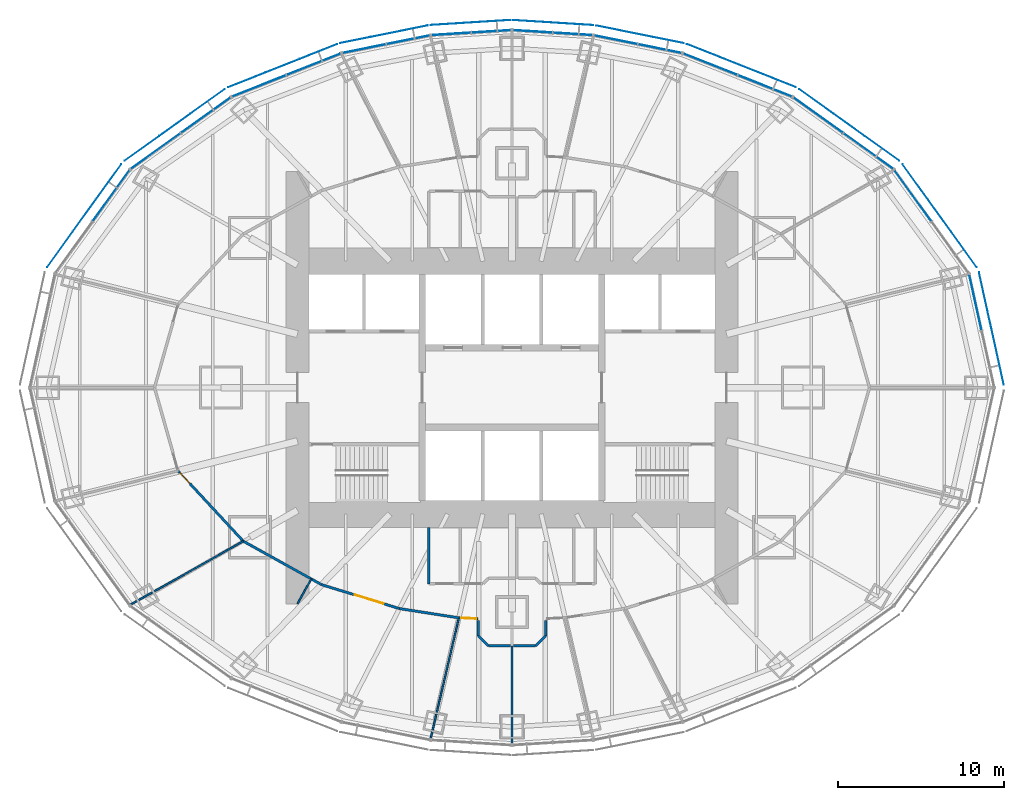
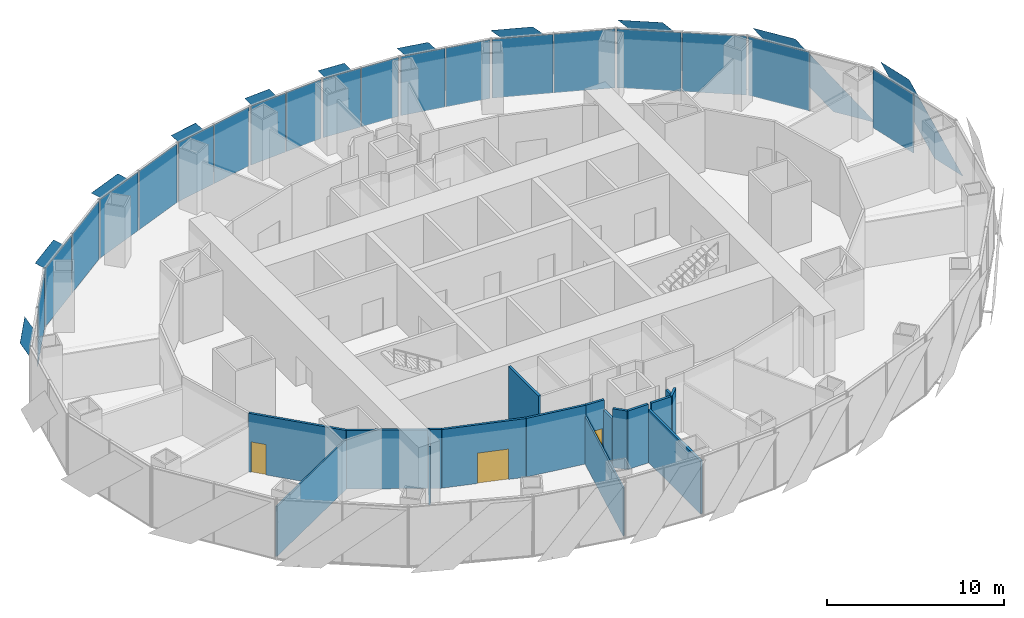
# One storey, part 10 of 17: 30 plates, 16 walls, 3 doors, 3 openings, 11 elements without a shape of their own.
"""IFC4 building model written with IfcOpenShell, lengths in metres."""

from ifc_helpers import new_model, si_unit, direction, frame, frame_2d, origin, origin_2d, place, context, subcontext, project, spatial, polyline, rectangle, outline, extrude, material, layer, layer_set, type_object, element, fill, aggregate, save


model = new_model("IFC4")

# Units and contexts
model_context = context("Model", 3, precision=1e-05, world=origin(), true_north=direction((0.0, 1.0)))
body_context = subcontext(model_context, "Body", "Model", "MODEL_VIEW")
ifc_project = project(units=[si_unit("LENGTHUNIT", "METRE"), si_unit("AREAUNIT", "SQUARE_METRE"), si_unit("VOLUMEUNIT", "CUBIC_METRE"), si_unit("PLANEANGLEUNIT", "RADIAN"), si_unit("MASSUNIT", "GRAM", prefix="KILO")], contexts=[model_context])

# Site, building, storey
site_placement = place(None, origin())
site = spatial("IfcSite", under=ifc_project, at=site_placement, CompositionType="ELEMENT")
building_placement = place(site_placement, origin())
building = spatial("IfcBuilding", under=site, at=building_placement, Name="Lantaw Convention Tower", CompositionType="ELEMENT")
storey_placement = place(building_placement, frame((0.0, 0.0, 163.60009765625)))
storey = spatial("IfcBuildingStorey", under=building, at=storey_placement, Name="L38", CompositionType="ELEMENT", Elevation=163.60009765625)

# Curtain wall, plate
ifc_material_1 = material(Name="Aluminium framed curtain wall", Category="aluminium")
curtain_wall_type = type_object("IfcCurtainWallType", Name="Office curtain wall low rise, pale aluminium", PredefinedType="USERDEFINED", material=ifc_material_1)
curtain_wall_1_placement = place(storey_placement, origin())
curtain_wall_1 = element("IfcCurtainWall", 1, at=curtain_wall_1_placement, inside=storey, type_object=curtain_wall_type, Name="Office curtain wall low rise, pale aluminium L38", ObjectType="UNITISED CURTAIN WALL", PredefinedType="USERDEFINED")
ifc_material_2 = material(Name="Clear insulating glass", Category="glass")
ifc_layer_1 = layer(ifc_material_2, 0.028076171875)
ifc_layer_set_1 = layer_set([ifc_layer_1], Name="CW-O1 panel 28")
plate_type_1 = type_object("IfcPlateType", Name="CW-O1 panel 28", PredefinedType="CURTAIN_PANEL", material=ifc_layer_set_1)
plate_1_placement = place(storey_placement, frame((27.868896484375, 5.1240234375, -0.0849609375), z_axis=(0.0, 0.0, 1.0), x_axis=(-0.215546166174, 0.9764936509, 0.0)))
plate_1 = element("IfcPlate", 2, at=plate_1_placement, type_object=plate_type_1, Name="CW-O1 panel 2.1", PredefinedType="CURTAIN_PANEL", context=body_context, shape_type="SweptSolid", body=[
    extrude(rectangle(XDim=3.41162109375, YDim=0.028076171875, at=origin_2d()), origin(), (0.0, 0.0, 1.0), 4.070068359375),
])
aggregate(curtain_wall_1, [plate_1])

curtain_wall_2_placement = place(storey_placement, origin())
curtain_wall_2 = element("IfcCurtainWall", 3, at=curtain_wall_2_placement, inside=storey, type_object=curtain_wall_type, Name="Office curtain wall low rise, pale aluminium L38", ObjectType="UNITISED CURTAIN WALL", PredefinedType="USERDEFINED")
plate_2_placement = place(storey_placement, frame((24.108154296875, 11.5439453125, -0.0849609375), z_axis=(0.0, 0.0, 1.0), x_axis=(-0.584512597221, 0.811384633629, 0.0)))
plate_2 = element("IfcPlate", 4, at=plate_2_placement, type_object=plate_type_1, Name="CW-O1 panel 2.1", PredefinedType="CURTAIN_PANEL", context=body_context, shape_type="SweptSolid", body=[
    extrude(rectangle(XDim=3.767333984375, YDim=0.028076171875, at=origin_2d()), origin(), (0.0, 0.0, 1.0), 4.070068359375),
])
aggregate(curtain_wall_2, [plate_2])

# Curtain wall, plates
curtain_wall_3_placement = place(storey_placement, origin())
curtain_wall_3 = element("IfcCurtainWall", 5, at=curtain_wall_3_placement, inside=storey, type_object=curtain_wall_type, Name="Office curtain wall low rise, pale aluminium L38", ObjectType="UNITISED CURTAIN WALL", PredefinedType="USERDEFINED")
plate_3_placement = place(storey_placement, frame((21.43408203125, 14.2236328125, -0.0849609375), z_axis=(0.0, 0.0, 1.0), x_axis=(-0.813208325995, 0.581972695693, 0.0)))
plate_3 = element("IfcPlate", 6, at=plate_3_placement, type_object=plate_type_1, Name="CW-O1 panel 1.1", PredefinedType="CURTAIN_PANEL", context=body_context, shape_type="SweptSolid", body=[
    extrude(rectangle(XDim=3.645263671875, YDim=0.028076171875, at=origin_2d()), origin(), (0.0, 0.0, 1.0), 4.070068359375),
])
plate_4_placement = place(storey_placement, frame((18.416748046875, 16.383056640625, -0.0849609375), z_axis=(0.0, 0.0, 1.0), x_axis=(-0.813208325995, 0.581972695693, 0.0)))
plate_4 = element("IfcPlate", 7, at=plate_4_placement, type_object=plate_type_1, Name="CW-O1 panel 2.1", PredefinedType="CURTAIN_PANEL", context=body_context, shape_type="SweptSolid", body=[
    extrude(rectangle(XDim=3.645263671875, YDim=0.028076171875, at=origin_2d()), origin(), (0.0, 0.0, 1.0), 4.070068359375),
])
aggregate(curtain_wall_3, [plate_3, plate_4])

curtain_wall_4_placement = place(storey_placement, origin())
curtain_wall_4 = element("IfcCurtainWall", 8, at=curtain_wall_4_placement, inside=storey, type_object=curtain_wall_type, Name="Office curtain wall low rise, pale aluminium L38", ObjectType="UNITISED CURTAIN WALL", PredefinedType="USERDEFINED")
plate_5_placement = place(storey_placement, frame((15.208251953125, 18.145263671875, -0.0849609375), z_axis=(0.0, 0.0, 1.0), x_axis=(-0.929547687544, 0.368701907483, 0.0)))
plate_5 = element("IfcPlate", 9, at=plate_5_placement, type_object=plate_type_1, Name="CW-O1 panel 1.1", PredefinedType="CURTAIN_PANEL", context=body_context, shape_type="SweptSolid", body=[
    extrude(rectangle(XDim=3.470703125, YDim=0.028076171875, at=origin_2d()), origin(), (0.0, 0.0, 1.0), 4.070068359375),
])
plate_6_placement = place(storey_placement, frame((11.921630859375, 19.448974609375, -0.0849609375), z_axis=(0.0, 0.0, 1.0), x_axis=(-0.929547687544, 0.368701907483, 0.0)))
plate_6 = element("IfcPlate", 10, at=plate_6_placement, type_object=plate_type_1, Name="CW-O1 panel 2.1", PredefinedType="CURTAIN_PANEL", context=body_context, shape_type="SweptSolid", body=[
    extrude(rectangle(XDim=3.470703125, YDim=0.028076171875, at=origin_2d()), origin(), (0.0, 0.0, 1.0), 4.070068359375),
])
aggregate(curtain_wall_4, [plate_5, plate_6])

curtain_wall_5_placement = place(storey_placement, origin())
curtain_wall_5 = element("IfcCurtainWall", 11, at=curtain_wall_5_placement, inside=storey, type_object=curtain_wall_type, Name="Office curtain wall low rise, pale aluminium L38", ObjectType="UNITISED CURTAIN WALL", PredefinedType="USERDEFINED")
plate_7_placement = place(storey_placement, frame((8.893310546875, 20.3857421875, -0.0849609375), z_axis=(0.0, 0.0, 1.0), x_axis=(-0.980301514912, 0.197506809659, 0.0)))
plate_7 = element("IfcPlate", 12, at=plate_7_placement, type_object=plate_type_1, Name="CW-O1 panel 1.1", PredefinedType="CURTAIN_PANEL", context=body_context, shape_type="SweptSolid", body=[
    extrude(rectangle(XDim=2.634033203125, YDim=0.028076171875, at=origin_2d()), origin(), (0.0, 0.0, 1.0), 4.070068359375),
])
plate_8_placement = place(storey_placement, frame((6.247314453125, 20.9189453125, -0.0849609375), z_axis=(0.0, 0.0, 1.0), x_axis=(-0.980301514912, 0.197506809659, 0.0)))
plate_8 = element("IfcPlate", 13, at=plate_8_placement, type_object=plate_type_1, Name="CW-O1 panel 2.1", PredefinedType="CURTAIN_PANEL", context=body_context, shape_type="SweptSolid", body=[
    extrude(rectangle(XDim=2.634033203125, YDim=0.028076171875, at=origin_2d()), origin(), (0.0, 0.0, 1.0), 4.070068359375),
])
aggregate(curtain_wall_5, [plate_7, plate_8])

curtain_wall_6_placement = place(storey_placement, origin())
curtain_wall_6 = element("IfcCurtainWall", 14, at=curtain_wall_6_placement, inside=storey, type_object=curtain_wall_type, Name="Office curtain wall low rise, pale aluminium L38", ObjectType="UNITISED CURTAIN WALL", PredefinedType="USERDEFINED")
plate_9_placement = place(storey_placement, frame((3.653076171875, 21.269775390625, -0.0849609375), z_axis=(0.0, 0.0, 1.0), x_axis=(-0.998022035978, 0.062865059466, 0.0)))
plate_9 = element("IfcPlate", 15, at=plate_9_placement, type_object=plate_type_1, Name="CW-O1 panel 1.1", PredefinedType="CURTAIN_PANEL", context=body_context, shape_type="SweptSolid", body=[
    extrude(rectangle(XDim=2.353515625, YDim=0.028076171875, at=origin_2d()), origin(), (0.0, 0.0, 1.0), 4.070068359375),
])
plate_10_placement = place(storey_placement, frame((1.2392578125, 21.421875, -0.0849609375), z_axis=(0.0, 0.0, 1.0), x_axis=(-0.998022035978, 0.062865059466, 0.0)))
plate_10 = element("IfcPlate", 16, at=plate_10_placement, type_object=plate_type_1, Name="CW-O1 panel 2.1", PredefinedType="CURTAIN_PANEL", context=body_context, shape_type="SweptSolid", body=[
    extrude(rectangle(XDim=2.353515625, YDim=0.028076171875, at=origin_2d()), origin(), (0.0, 0.0, 1.0), 4.070068359375),
])
aggregate(curtain_wall_6, [plate_9, plate_10])

curtain_wall_7_placement = place(storey_placement, origin())
curtain_wall_7 = element("IfcCurtainWall", 17, at=curtain_wall_7_placement, inside=storey, type_object=curtain_wall_type, Name="Office curtain wall low rise, pale aluminium L38", ObjectType="UNITISED CURTAIN WALL", PredefinedType="USERDEFINED")
plate_11_placement = place(storey_placement, frame((-1.2392578125, 21.421875, -0.0849609375), z_axis=(0.0, 0.0, 1.0), x_axis=(-0.998022035978, -0.062865059466, 0.0)))
plate_11 = element("IfcPlate", 18, at=plate_11_placement, type_object=plate_type_1, Name="CW-O1 panel 1.1", PredefinedType="CURTAIN_PANEL", context=body_context, shape_type="SweptSolid", body=[
    extrude(rectangle(XDim=2.353515625, YDim=0.028076171875, at=origin_2d()), origin(), (0.0, 0.0, 1.0), 4.070068359375),
])
plate_12_placement = place(storey_placement, frame((-3.653076171875, 21.269775390625, -0.0849609375), z_axis=(0.0, 0.0, 1.0), x_axis=(-0.998022035978, -0.062865059466, 0.0)))
plate_12 = element("IfcPlate", 19, at=plate_12_placement, type_object=plate_type_1, Name="CW-O1 panel 2.1", PredefinedType="CURTAIN_PANEL", context=body_context, shape_type="SweptSolid", body=[
    extrude(rectangle(XDim=2.353515625, YDim=0.028076171875, at=origin_2d()), origin(), (0.0, 0.0, 1.0), 4.070068359375),
])
aggregate(curtain_wall_7, [plate_11, plate_12])

curtain_wall_8_placement = place(storey_placement, origin())
curtain_wall_8 = element("IfcCurtainWall", 20, at=curtain_wall_8_placement, inside=storey, type_object=curtain_wall_type, Name="Office curtain wall low rise, pale aluminium L38", ObjectType="UNITISED CURTAIN WALL", PredefinedType="USERDEFINED")
plate_13_placement = place(storey_placement, frame((-6.247314453125, 20.9189453125, -0.0849609375), z_axis=(0.0, 0.0, 1.0), x_axis=(-0.980301514912, -0.197506809659, 0.0)))
plate_13 = element("IfcPlate", 21, at=plate_13_placement, type_object=plate_type_1, Name="CW-O1 panel 1.1", PredefinedType="CURTAIN_PANEL", context=body_context, shape_type="SweptSolid", body=[
    extrude(rectangle(XDim=2.634033203125, YDim=0.028076171875, at=origin_2d()), origin(), (0.0, 0.0, 1.0), 4.070068359375),
])
plate_14_placement = place(storey_placement, frame((-8.893310546875, 20.3857421875, -0.0849609375), z_axis=(0.0, 0.0, 1.0), x_axis=(-0.980301514912, -0.197506809659, 0.0)))
plate_14 = element("IfcPlate", 22, at=plate_14_placement, type_object=plate_type_1, Name="CW-O1 panel 2.1", PredefinedType="CURTAIN_PANEL", context=body_context, shape_type="SweptSolid", body=[
    extrude(rectangle(XDim=2.634033203125, YDim=0.028076171875, at=origin_2d()), origin(), (0.0, 0.0, 1.0), 4.070068359375),
])
aggregate(curtain_wall_8, [plate_13, plate_14])

curtain_wall_9_placement = place(storey_placement, origin())
curtain_wall_9 = element("IfcCurtainWall", 23, at=curtain_wall_9_placement, inside=storey, type_object=curtain_wall_type, Name="Office curtain wall low rise, pale aluminium L38", ObjectType="UNITISED CURTAIN WALL", PredefinedType="USERDEFINED")
plate_15_placement = place(storey_placement, frame((-11.921630859375, 19.448974609375, -0.0849609375), z_axis=(0.0, 0.0, 1.0), x_axis=(-0.929547687544, -0.368701907483, 0.0)))
plate_15 = element("IfcPlate", 24, at=plate_15_placement, type_object=plate_type_1, Name="CW-O1 panel 1.1", PredefinedType="CURTAIN_PANEL", context=body_context, shape_type="SweptSolid", body=[
    extrude(rectangle(XDim=3.470703125, YDim=0.028076171875, at=origin_2d()), origin(), (0.0, 0.0, 1.0), 4.070068359375),
])
plate_16_placement = place(storey_placement, frame((-15.208251953125, 18.145263671875, -0.0849609375), z_axis=(0.0, 0.0, 1.0), x_axis=(-0.929547687544, -0.368701907483, 0.0)))
plate_16 = element("IfcPlate", 25, at=plate_16_placement, type_object=plate_type_1, Name="CW-O1 panel 2.1", PredefinedType="CURTAIN_PANEL", context=body_context, shape_type="SweptSolid", body=[
    extrude(rectangle(XDim=3.470703125, YDim=0.028076171875, at=origin_2d()), origin(), (0.0, 0.0, 1.0), 4.070068359375),
])
aggregate(curtain_wall_9, [plate_15, plate_16])

curtain_wall_10_placement = place(storey_placement, origin())
curtain_wall_10 = element("IfcCurtainWall", 26, at=curtain_wall_10_placement, inside=storey, type_object=curtain_wall_type, Name="Office curtain wall low rise, pale aluminium L38", ObjectType="UNITISED CURTAIN WALL", PredefinedType="USERDEFINED")
plate_17_placement = place(storey_placement, frame((-18.416748046875, 16.383056640625, -0.0849609375), z_axis=(0.0, 0.0, 1.0), x_axis=(-0.813208325995, -0.581972695693, 0.0)))
plate_17 = element("IfcPlate", 27, at=plate_17_placement, type_object=plate_type_1, Name="CW-O1 panel 1.1", PredefinedType="CURTAIN_PANEL", context=body_context, shape_type="SweptSolid", body=[
    extrude(rectangle(XDim=3.645263671875, YDim=0.028076171875, at=origin_2d()), origin(), (0.0, 0.0, 1.0), 4.070068359375),
])
plate_18_placement = place(storey_placement, frame((-21.43408203125, 14.2236328125, -0.0849609375), z_axis=(0.0, 0.0, 1.0), x_axis=(-0.813208325995, -0.581972695693, 0.0)))
plate_18 = element("IfcPlate", 28, at=plate_18_placement, type_object=plate_type_1, Name="CW-O1 panel 2.1", PredefinedType="CURTAIN_PANEL", context=body_context, shape_type="SweptSolid", body=[
    extrude(rectangle(XDim=3.645263671875, YDim=0.028076171875, at=origin_2d()), origin(), (0.0, 0.0, 1.0), 4.070068359375),
])
aggregate(curtain_wall_10, [plate_17, plate_18])

# Curtain wall, plate
curtain_wall_11_placement = place(storey_placement, origin())
curtain_wall_11 = element("IfcCurtainWall", 29, at=curtain_wall_11_placement, inside=storey, type_object=curtain_wall_type, Name="Office curtain wall low rise, pale aluminium L38", ObjectType="UNITISED CURTAIN WALL", PredefinedType="USERDEFINED")
plate_19_placement = place(storey_placement, frame((-24.108154296875, 11.5439453125, -0.0849609375), z_axis=(0.0, 0.0, 1.0), x_axis=(-0.584512597221, -0.811384633629, 0.0)))
plate_19 = element("IfcPlate", 30, at=plate_19_placement, type_object=plate_type_1, Name="CW-O1 panel 1.1", PredefinedType="CURTAIN_PANEL", context=body_context, shape_type="SweptSolid", body=[
    extrude(rectangle(XDim=3.767333984375, YDim=0.028076171875, at=origin_2d()), origin(), (0.0, 0.0, 1.0), 4.070068359375),
])
aggregate(curtain_wall_11, [plate_19])

# Plates
ifc_material_3 = material(Name="Perforated aluminium sheet, pale silver finish", Category="aluminium")
ifc_layer_2 = layer(ifc_material_3, 0.006103515625)
ifc_layer_set_2 = layer_set([ifc_layer_2], Name="Perforated aluminium solar SCREEN panel")
plate_type_2 = type_object("IfcPlateType", Name="Perforated aluminium solar SCREEN panel", PredefinedType="SHEET", material=ifc_layer_set_2)
plate_20_placement = place(storey_placement, frame((29.5810546875, 0.179443359375, -0.175048828125), z_axis=(0.976497812463, 0.215527309509, 3.3329045e-05), x_axis=(-0.215527309629, 0.976497813005, 1.665e-09)))
element("IfcPlate", 31, at=plate_20_placement, inside=storey, type_object=plate_type_2, Name="Solar SCREEN panel", PredefinedType="SHEET", context=body_context, shape_type="SweptSolid", body=[
    extrude(outline(polyline([(0.0, 0.0), (2.3861843673609986, 0.0), (6.918240190546627, 4.339843740891906), (4.532108442157707, 4.339843748837556), (0.0, 0.0)])), origin(), (0.0, 0.0, -1.0), 0.006103515625),
])
plate_21_placement = place(storey_placement, frame((27.94970703125, 7.248046875, -0.175048828125), z_axis=(0.81139512159, 0.584498037099, 3.5888803e-05), x_axis=(-0.584498037475, 0.811395122112, -9.74e-10)))
element("IfcPlate", 32, at=plate_21_placement, inside=storey, type_object=plate_type_2, Name="Solar SCREEN panel", PredefinedType="SHEET", context=body_context, shape_type="SweptSolid", body=[
    extrude(outline(polyline([(0.0, 0.0), (2.628222178575422, -6.776263578034403e-21), (7.629778257969264, 4.339843760228519), (5.001754173906077, 4.339843755107391), (0.0, 0.0)])), origin(), (0.0, 0.0, -1.0), 0.006103515625),
])
plate_22_placement = place(storey_placement, frame((23.281005859375, 13.64697265625, -0.175048828125), z_axis=(0.582000183937, 0.813188653244, 1.1537794e-05), x_axis=(-0.813188653298, 0.582000183975, 0.0)))
element("IfcPlate", 33, at=plate_22_placement, inside=storey, type_object=plate_type_2, Name="Solar SCREEN panel", PredefinedType="SHEET", context=body_context, shape_type="SweptSolid", body=[
    extrude(outline(polyline([(0.0, 0.0), (2.5450183911586484, 1.6940658945086007e-21), (7.385531276904658, 4.339843750288861), (4.840512885746009, 4.339843750288861), (0.0, 0.0)])), origin(), (0.0, 0.0, -1.0), 0.006103515625),
])
plate_23_placement = place(storey_placement, frame((17.05859375, 18.063232421875, -0.175048828125), z_axis=(-0.368708915367, -0.929544907797, 1.0867661e-05), x_axis=(-0.929544907851, 0.368708915389, 7.1e-10)))
element("IfcPlate", 34, at=plate_23_placement, inside=storey, type_object=plate_type_2, Name="Solar SCREEN panel", PredefinedType="SHEET", context=body_context, shape_type="SweptSolid", body=[
    extrude(outline(polyline([(0.0, 0.0), (2.4263803793049097, 0.0), (7.036549629566982, -4.339843745261612), (4.61003232741235, -4.339843748706285), (0.0, 0.0)])), origin(), (0.0, 0.0, -1.0), 0.006103515625),
])
plate_24_placement = place(storey_placement, frame((10.318603515625, 20.716796875, -0.175048828125), z_axis=(0.197556725442, 0.980291455983, 3.9485719e-05), x_axis=(-0.980291456747, 0.197556725596, 0.0)))
element("IfcPlate", 35, at=plate_24_placement, inside=storey, type_object=plate_type_2, Name="Solar SCREEN panel", PredefinedType="SHEET", context=body_context, shape_type="SweptSolid", body=[
    extrude(outline(polyline([(0.0, 0.0), (1.8574075788555457, 1.6940658945086007e-21), (5.362987026845185, 4.339843753383173), (3.505579447989639, 4.339843753383173), (0.0, 0.0)])), origin(), (0.0, 0.0, -1.0), 0.006103515625),
])
plate_25_placement = place(storey_placement, frame((4.880615234375, 21.7998046875, -0.175048828125), z_axis=(0.062838799866, 0.998023689713, 1.755158e-06), x_axis=(-0.998023689715, 0.062838799866, -8e-12)))
element("IfcPlate", 36, at=plate_25_placement, inside=storey, type_object=plate_type_2, Name="Solar SCREEN panel", PredefinedType="SHEET", context=body_context, shape_type="SweptSolid", body=[
    extrude(outline(polyline([(0.0, 0.0), (1.6666243269452135, 2.6469779601696886e-23), (4.802214797186689, 4.339843750045478), (3.135346812114104, 4.33984375001855), (0.0, 0.0)])), origin(), (0.0, 0.0, -1.0), 0.006103515625),
])
plate_26_placement = place(storey_placement, frame((-0.087890625, 22.1015625, -0.175048828125), z_axis=(0.062838799866, -0.998023689713, 1.755158e-06), x_axis=(-0.998023689715, -0.062838799866, 8e-12)))
element("IfcPlate", 37, at=plate_26_placement, inside=storey, type_object=plate_type_2, Name="Solar SCREEN panel", PredefinedType="SHEET", context=body_context, shape_type="SweptSolid", body=[
    extrude(outline(polyline([(0.0, 0.0), (1.6668679850725854, -5.293955920339377e-23), (4.802214797256801, -4.339843749967897), (3.1355904703115876, -4.339843749994822), (0.0, 0.0)])), origin(), (0.0, 0.0, -1.0), 0.006103515625),
])
plate_27_placement = place(storey_placement, frame((-5.061279296875, 21.776123046875, -0.175048828125), z_axis=(0.197556725442, -0.980291455983, 3.9485719e-05), x_axis=(-0.980291456747, -0.197556725596, 0.0)))
element("IfcPlate", 38, at=plate_27_placement, inside=storey, type_object=plate_type_2, Name="Solar SCREEN panel", PredefinedType="SHEET", context=body_context, shape_type="SweptSolid", body=[
    extrude(outline(polyline([(0.0, 0.0), (1.8574075788555457, -1.6940658945086007e-21), (5.362987026845185, -4.339843753383173), (3.505579447989639, -4.339843753383173), (0.0, 0.0)])), origin(), (0.0, 0.0, -1.0), 0.006103515625),
])
plate_28_placement = place(storey_placement, frame((-10.517822265625, 20.65771484375, -0.175048828125), z_axis=(-0.368708915367, 0.929544907797, 1.0867661e-05), x_axis=(-0.929544907851, -0.368708915389, -7.1e-10)))
element("IfcPlate", 39, at=plate_28_placement, inside=storey, type_object=plate_type_2, Name="Solar SCREEN panel", PredefinedType="SHEET", context=body_context, shape_type="SweptSolid", body=[
    extrude(outline(polyline([(0.0, 0.0), (2.426517302154632, 1.6940658945086007e-21), (7.036549623406159, 4.339843755250667), (4.610169244101249, 4.339843751806188), (0.0, 0.0)])), origin(), (0.0, 0.0, -1.0), 0.006103515625),
])
plate_29_placement = place(storey_placement, frame((-17.275146484375, 17.9453125, -0.175048828125), z_axis=(0.582000183937, -0.813188653244, 1.1537794e-05), x_axis=(-0.813188653298, -0.582000183975, 0.0)))
element("IfcPlate", 40, at=plate_29_placement, inside=storey, type_object=plate_type_2, Name="Solar SCREEN panel", PredefinedType="SHEET", context=body_context, shape_type="SweptSolid", body=[
    extrude(outline(polyline([(0.0, 0.0), (2.5450183911586484, -1.6940658945086007e-21), (7.385531276904658, -4.339843750288861), (4.840512885746009, -4.339843750288861), (0.0, 0.0)])), origin(), (0.0, 0.0, -1.0), 0.006103515625),
])
plate_30_placement = place(storey_placement, frame((-23.489990234375, 13.438720703125, -0.175048828125), z_axis=(0.81139512159, -0.584498037099, 3.5888803e-05), x_axis=(-0.584498037475, -0.811395122112, 9.74e-10)))
element("IfcPlate", 41, at=plate_30_placement, inside=storey, type_object=plate_type_2, Name="Solar SCREEN panel", PredefinedType="SHEET", context=body_context, shape_type="SweptSolid", body=[
    extrude(outline(polyline([(0.0, 0.0), (2.6280240840631874, 6.776263578034403e-21), (7.62977826642615, -4.339843745360666), (5.001556087850728, -4.3398437504821805), (0.0, 0.0)])), origin(), (0.0, 0.0, -1.0), 0.006103515625),
])

# Wall, opening, door
ifc_material_4 = material(Name="Gypsum board on steel studs, fire rated", Category="steel")
ifc_layer_3 = layer(ifc_material_4, 0.14990234375)
ifc_layer_set_3 = layer_set([ifc_layer_3], Name="Corridor wall 150 EI 60")
wall_type_1 = type_object("IfcWallType", Name="Corridor wall 150 EI 60", PredefinedType="PARTITIONING", material=ifc_layer_set_3)
wall_1_placement = place(storey_placement, frame((-20.078369140625, -5.006103515625, 0.0), z_axis=(0.0, 0.0, 1.0), x_axis=(0.679724658223, -0.733467374191, 0.0)))
wall_1 = element("IfcWall", 42, at=wall_1_placement, inside=storey, type_object=wall_type_1, Name="Corridor wall 150", PredefinedType="PARTITIONING", context=body_context, shape_type="SweptSolid", body=[
    extrude(rectangle(XDim=5.764892578125, YDim=0.14990234375, at=frame_2d((2.88232421875, 0.0))), origin(), (0.0, 0.0, 1.0), 4.0498046875),
])
opening_1_placement = place(wall_1_placement, frame((0.14990234375, 0.0, 0.0)))
opening_1 = element("IfcOpeningElement", 43, at=opening_1_placement, cuts=wall_1, Name="Opening L38.31", PredefinedType="OPENING", context=body_context, shape_type="SweptSolid", body=[
    extrude(rectangle(XDim=0.89990234375, YDim=2.10009765625, at=frame_2d((0.449951171875, 1.050048828125))), frame((0.0, 0.0849609375, 0.0), z_axis=(0.0, -1.0, 0.0), x_axis=(1.0, 0.0, 0.0)), (0.0, 0.0, 1.0), 0.169921875),
])
ifc_material_5 = material(Name="Steel, fire rated", Category="steel")
door_type_1 = type_object("IfcDoorType", Name="Office door 900 FD30", OperationType="SINGLE_SWING_LEFT", PredefinedType="DOOR", material=ifc_material_5)
door_1_placement = place(opening_1_placement, origin())
door_1 = element("IfcDoor", 44, at=door_1_placement, inside=storey, type_object=door_type_1, Name="Private office door", OperationType="SINGLE_SWING_LEFT", OverallHeight=2.10009765625, OverallWidth=0.89990234375, PredefinedType="DOOR", context=body_context, shape_type="SweptSolid", body=[
    extrude(rectangle(XDim=0.89990234375, YDim=2.10009765625, at=frame_2d((0.449951171875, 1.050048828125))), frame((0.0, 0.02490234375, 0.0), z_axis=(0.0, -1.0, 0.0), x_axis=(1.0, 0.0, 0.0)), (0.0, 0.0, 1.0), 0.050048828125),
])
fill(opening_1, door_1)

# Wall
wall_2_placement = place(storey_placement, frame((-16.159912109375, -9.234375, 0.0), z_axis=(0.0, 0.0, 1.0), x_axis=(0.87433873028, -0.485316169865, 0.0)))
element("IfcWall", 45, at=wall_2_placement, inside=storey, type_object=wall_type_1, Name="Corridor wall 150", PredefinedType="PARTITIONING", context=body_context, shape_type="SweptSolid", body=[
    extrude(rectangle(XDim=5.392822265625, YDim=0.14990234375, at=frame_2d((2.6962890625, 0.0))), origin(), (0.0, 0.0, 1.0), 4.0498046875),
])

# Wall, opening, door
wall_3_placement = place(storey_placement, frame((-11.44482421875, -11.8515625, 0.0), z_axis=(0.0, 0.0, 1.0), x_axis=(0.955892284323, -0.293717450573, 0.0)))
wall_3 = element("IfcWall", 46, at=wall_3_placement, inside=storey, type_object=wall_type_1, Name="Corridor wall 150", PredefinedType="PARTITIONING", context=body_context, shape_type="SweptSolid", body=[
    extrude(rectangle(XDim=4.889892578125, YDim=0.14990234375, at=frame_2d((2.44482421875, 0.0))), origin(), (0.0, 0.0, 1.0), 4.0498046875),
])
opening_2_placement = place(wall_3_placement, frame((2.08154296875, 0.0, 0.0)))
opening_2 = element("IfcOpeningElement", 47, at=opening_2_placement, cuts=wall_3, Name="Opening L38.32", PredefinedType="OPENING", context=body_context, shape_type="SweptSolid", body=[
    extrude(rectangle(XDim=1.800048828125, YDim=2.10009765625, at=frame_2d((0.89990234375, 1.050048828125))), frame((0.0, 0.0849609375, 0.0), z_axis=(0.0, -1.0, 0.0), x_axis=(1.0, 0.0, 0.0)), (0.0, 0.0, 1.0), 0.169921875),
])
door_type_2 = type_object("IfcDoorType", Name="Office double door 1800 FD30", OperationType="DOUBLE_DOOR_DOUBLE_SWING", PredefinedType="DOOR", material=ifc_material_5)
door_2_placement = place(opening_2_placement, origin())
door_2 = element("IfcDoor", 48, at=door_2_placement, inside=storey, type_object=door_type_2, Name="Tenant suite door", OperationType="DOUBLE_DOOR_DOUBLE_SWING", OverallHeight=2.10009765625, OverallWidth=1.800048828125, PredefinedType="DOOR", context=body_context, shape_type="SweptSolid", body=[
    extrude(rectangle(XDim=1.800048828125, YDim=2.10009765625, at=frame_2d((0.89990234375, 1.050048828125))), frame((0.0, 0.02490234375, 0.0), z_axis=(0.0, -1.0, 0.0), x_axis=(1.0, 0.0, 0.0)), (0.0, 0.0, 1.0), 0.050048828125),
])
fill(opening_2, door_2)

# Wall
wall_4_placement = place(storey_placement, frame((-6.7705078125, -13.287841796875, 0.0), z_axis=(0.0, 0.0, 1.0), x_axis=(0.98808911792, -0.153882731479, 0.0)))
element("IfcWall", 49, at=wall_4_placement, inside=storey, type_object=wall_type_1, Name="Corridor wall 150", PredefinedType="PARTITIONING", context=body_context, shape_type="SweptSolid", body=[
    extrude(rectangle(XDim=3.6171875, YDim=0.14990234375, at=frame_2d((1.80859375, 0.0))), origin(), (0.0, 0.0, 1.0), 4.0498046875),
])

# Wall, opening, door
wall_5_placement = place(storey_placement, frame((-3.1962890625, -13.844482421875, 0.0), z_axis=(0.0, 0.0, 1.0), x_axis=(0.998823043489, -0.048502863789, 0.0)))
wall_5 = element("IfcWall", 50, at=wall_5_placement, inside=storey, type_object=wall_type_1, Name="Corridor wall 150", PredefinedType="PARTITIONING", context=body_context, shape_type="SweptSolid", body=[
    extrude(rectangle(XDim=1.162841796875, YDim=0.14990234375, at=frame_2d((0.58154296875, 0.0))), origin(), (0.0, 0.0, 1.0), 4.0498046875),
])
opening_3_placement = place(wall_5_placement, frame((0.14990234375, 0.0, 0.0)))
opening_3 = element("IfcOpeningElement", 51, at=opening_3_placement, cuts=wall_5, Name="Opening L38.33", PredefinedType="OPENING", context=body_context, shape_type="SweptSolid", body=[
    extrude(rectangle(XDim=0.89990234375, YDim=2.10009765625, at=frame_2d((0.449951171875, 1.050048828125))), frame((0.0, 0.0849609375, 0.0), z_axis=(0.0, -1.0, 0.0), x_axis=(1.0, 0.0, 0.0)), (0.0, 0.0, 1.0), 0.169921875),
])
door_3_placement = place(opening_3_placement, origin())
door_3 = element("IfcDoor", 52, at=door_3_placement, inside=storey, type_object=door_type_1, Name="Pantry door", OperationType="SINGLE_SWING_LEFT", OverallHeight=2.10009765625, OverallWidth=0.89990234375, PredefinedType="DOOR", context=body_context, shape_type="SweptSolid", body=[
    extrude(rectangle(XDim=0.89990234375, YDim=2.10009765625, at=frame_2d((0.449951171875, 1.050048828125))), frame((0.0, 0.02490234375, 0.0), z_axis=(0.0, -1.0, 0.0), x_axis=(1.0, 0.0, 0.0)), (0.0, 0.0, 1.0), 0.050048828125),
])
fill(opening_3, door_3)

# Walls
for number, where, z_axis, x_axis, name in (
    (53, (-2.02490234375, -14.924560546875, 0.0), (0.0, 0.0, 1.0), (0.0, 1.0, 0.0), "Corridor wall 150"),
    (54, (2.02490234375, -14.00244140625, 0.0), (0.0, 0.0, 1.0), (0.0, -1.0, 0.0), "Corridor wall 150"),
):
    element("IfcWall", number, at=place(storey_placement, frame(where, z_axis=z_axis, x_axis=x_axis)), inside=storey, type_object=wall_type_1, Name=name, PredefinedType="PARTITIONING", context=body_context, shape_type="SweptSolid", body=[
        extrude(rectangle(XDim=0.922119140625, YDim=0.14990234375, at=frame_2d((0.4609375, 0.0))), origin(), (0.0, 0.0, 1.0), 3.36669921875),
    ])
wall_6_placement = place(storey_placement, frame((2.02490234375, -14.924560546875, 0.0), z_axis=(0.0, 0.0, 1.0), x_axis=(-0.707106781187, -0.707106781187, 0.0)))
element("IfcWall", 55, at=wall_6_placement, inside=storey, type_object=wall_type_1, Name="Corridor wall 150", PredefinedType="PARTITIONING", context=body_context, shape_type="SweptSolid", body=[
    extrude(rectangle(XDim=0.84912109375, YDim=0.14990234375, at=frame_2d((0.424560546875, 0.0))), origin(), (0.0, 0.0, 1.0), 4.0498046875),
])
wall_7_placement = place(storey_placement, frame((1.424560546875, -15.52490234375, 0.0), z_axis=(0.0, 0.0, 1.0), x_axis=(-1.0, 0.0, 0.0)))
element("IfcWall", 56, at=wall_7_placement, inside=storey, type_object=wall_type_1, Name="Corridor wall 150", PredefinedType="PARTITIONING", context=body_context, shape_type="SweptSolid", body=[
    extrude(rectangle(XDim=1.3212890625, YDim=0.14990234375, at=frame_2d((0.66064453125, 0.0))), origin(), (0.0, 0.0, 1.0), 4.0498046875),
])
ifc_material_6 = material(Name="Gypsum board on steel studs, acoustic", Category="steel")
ifc_layer_4 = layer(ifc_material_6, 0.10009765625)
ifc_layer_set_4 = layer_set([ifc_layer_4], Name="Office partition 100")
wall_type_2 = type_object("IfcWallType", Name="Office partition 100", PredefinedType="PARTITIONING", material=ifc_layer_set_4)
wall_8_placement = place(storey_placement, frame((-22.94921875, -13.058837890625, 0.0), z_axis=(0.0, 0.0, 1.0), x_axis=(0.871274989434, 0.490795163777, 0.0)))
element("IfcWall", 57, at=wall_8_placement, inside=storey, type_object=wall_type_2, Name="Office partition 100", PredefinedType="PARTITIONING", context=body_context, shape_type="SweptSolid", body=[
    extrude(rectangle(XDim=7.79248046875, YDim=0.10009765625, at=frame_2d((3.896240234375, 0.0))), origin(), (0.0, 0.0, 1.0), 3.450439453125),
])
wall_9_placement = place(storey_placement, frame((-4.89697265625, -21.134765625, 0.0), z_axis=(0.0, 0.0, 1.0), x_axis=(0.227181159974, 0.973852514785, 0.0)))
element("IfcWall", 58, at=wall_9_placement, inside=storey, type_object=wall_type_2, Name="Office partition 100", PredefinedType="PARTITIONING", context=body_context, shape_type="SweptSolid", body=[
    extrude(rectangle(XDim=7.486083984375, YDim=0.10009765625, at=frame_2d((3.7431640625, 0.0))), origin(), (0.0, 0.0, 1.0), 3.29296875),
])
wall_10_placement = place(storey_placement, frame((-12.89990234375, -13.0, 0.0), z_axis=(0.0, 0.0, 1.0), x_axis=(0.485339901234, 0.87432555737, 0.0)))
element("IfcWall", 59, at=wall_10_placement, inside=storey, type_object=wall_type_2, Name="Office partition 100", PredefinedType="PARTITIONING", context=body_context, shape_type="SweptSolid", body=[
    extrude(rectangle(XDim=1.710205078125, YDim=0.10009765625, at=frame_2d((0.85498046875, 0.0))), origin(), (0.0, 0.0, 1.0), 4.0498046875),
])
ifc_layer_5 = layer(ifc_material_4, 0.14990234375)
ifc_layer_set_5 = layer_set([ifc_layer_5], Name="Tenant separation wall 150 EI 60")
wall_type_3 = type_object("IfcWallType", Name="Tenant separation wall 150 EI 60", PredefinedType="PARTITIONING", material=ifc_layer_set_5)
wall_11_placement = place(storey_placement, frame((0.0, -21.44482421875, 0.0), z_axis=(0.0, 0.0, 1.0), x_axis=(0.0, 1.0, 0.0)))
element("IfcWall", 60, at=wall_11_placement, inside=storey, type_object=wall_type_3, Name="Tenant separation wall 150", PredefinedType="PARTITIONING", context=body_context, shape_type="SweptSolid", body=[
    extrude(rectangle(XDim=5.909912109375, YDim=0.14990234375, at=frame_2d((2.955078125, 0.0))), origin(), (0.0, 0.0, 1.0), 3.64599609375),
])
wall_12_placement = place(storey_placement, frame((-0.103271484375, -15.52490234375, 0.0), z_axis=(0.0, 0.0, 1.0), x_axis=(-1.0, 0.0, 0.0)))
element("IfcWall", 61, at=wall_12_placement, inside=storey, type_object=wall_type_3, Name="Tenant separation wall 150", PredefinedType="PARTITIONING", context=body_context, shape_type="SweptSolid", body=[
    extrude(rectangle(XDim=1.3212890625, YDim=0.14990234375, at=frame_2d((0.66064453125, 0.0))), origin(), (0.0, 0.0, 1.0), 4.0498046875),
])
wall_13_placement = place(storey_placement, frame((-1.424560546875, -15.52490234375, 0.0), z_axis=(0.0, 0.0, 1.0), x_axis=(-0.707106781187, 0.707106781187, 0.0)))
element("IfcWall", 62, at=wall_13_placement, inside=storey, type_object=wall_type_3, Name="Tenant separation wall 150", PredefinedType="PARTITIONING", context=body_context, shape_type="SweptSolid", body=[
    extrude(rectangle(XDim=0.84912109375, YDim=0.14990234375, at=frame_2d((0.424560546875, 0.0))), origin(), (0.0, 0.0, 1.0), 4.0498046875),
])
ifc_material_7 = material(Name="Concrete blockwork", Category="masonry")
ifc_layer_6 = layer(ifc_material_7, 0.14990234375)
ifc_layer_set_6 = layer_set([ifc_layer_6], Name="WC wall 150")
wall_type_4 = type_object("IfcWallType", Name="WC wall 150", PredefinedType="SOLIDWALL", material=ifc_layer_set_6)
wall_14_placement = place(storey_placement, frame((-5.0, -8.39990234375, 0.0), z_axis=(0.0, 0.0, 1.0), x_axis=(0.0, -1.0, 0.0)))
element("IfcWall", 63, at=wall_14_placement, inside=storey, type_object=wall_type_4, Name="WC wall 150", PredefinedType="SOLIDWALL", context=body_context, shape_type="SweptSolid", body=[
    extrude(rectangle(XDim=3.400146484375, YDim=0.14990234375, at=frame_2d((1.7001953125, 0.0))), origin(), (0.0, 0.0, 1.0), 4.0498046875),
])

save(model, "model.ifc")
